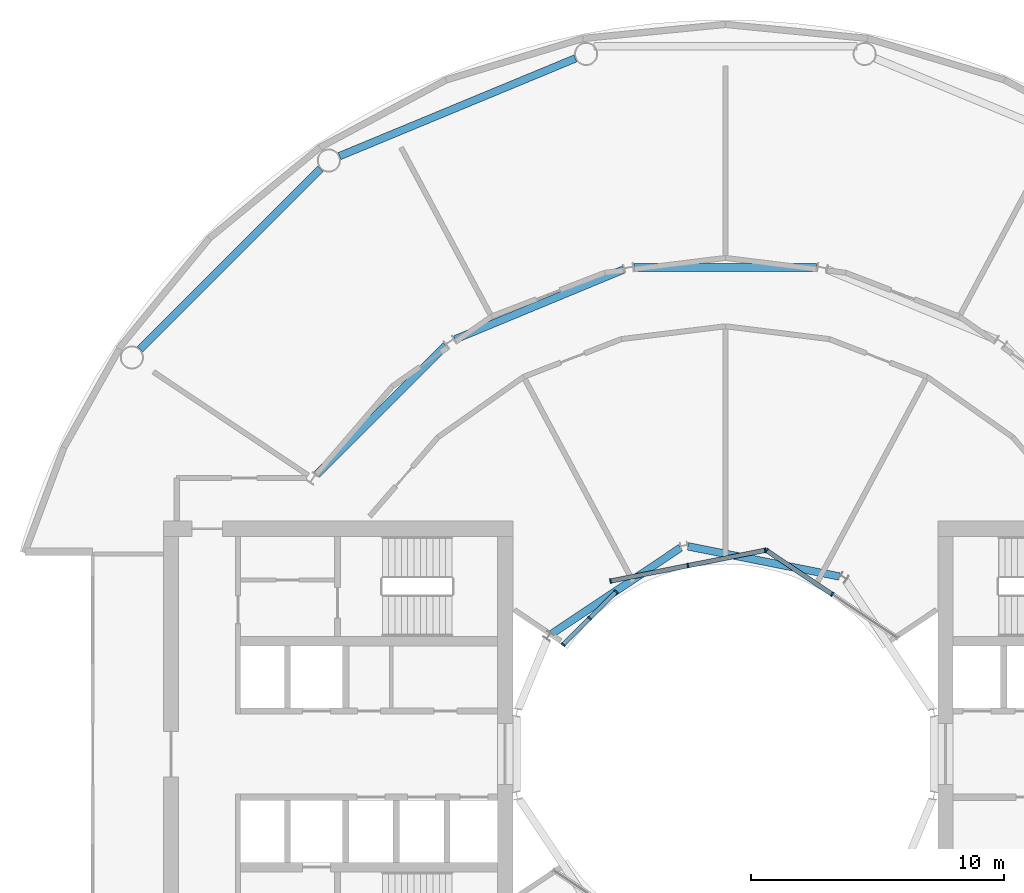
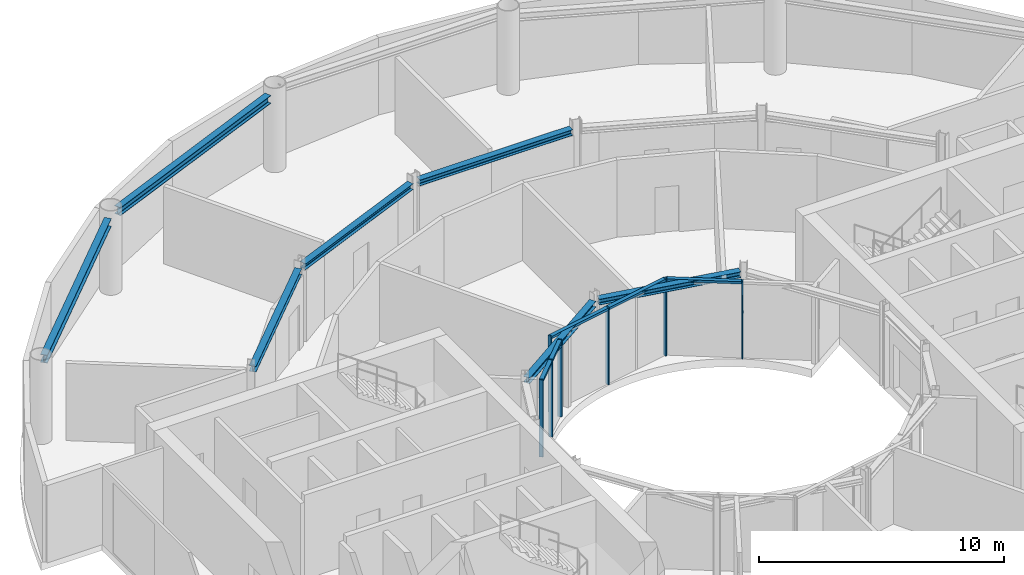
# One storey, part 8 of 18: 13 members, 7 beams, 3 elements without a shape of their own.
"""IFC4 building model written with IfcOpenShell, lengths in metres."""

import ifcopenshell
import ifcopenshell.guid

model = None  # the IFC model being written
_history = None  # IfcOwnerHistory: only IFC2X3 demands one
_inside = {}  # id of a spatial element -> (the spatial element, [elements in it])
_under = {}  # id of a project, library or spatial element -> (it, [spatial elements below it])
_declared = {}  # id of a project -> (the project, [libraries it declares])
_typed = {}  # id of a type object -> (the type object, [elements of that type])
_made_of = {}  # id of a material, layer set ... -> (it, [elements and type objects made of it])


def new_model(schema):
    """Start an empty IFC model of exactly this schema.

    Asked for "IFC4X3", IfcOpenShell would pick the latest addendum, in which some entities
    have other attributes; the version numbers below select the first issue.
    IFC2X3 requires an IfcOwnerHistory on every rooted entity: one is made here for all.
    """
    global model, _history
    if schema == "IFC4X3":
        model = ifcopenshell.file(schema_version=(4, 3, 0, 0))
    else:
        model = ifcopenshell.file(schema=schema)
    _inside.clear()
    _under.clear()
    _declared.clear()
    _typed.clear()
    _made_of.clear()
    _history = None
    if model.schema == "IFC2X3":
        org = make("IfcOrganization", Name="unknown")
        user = make(
            "IfcPersonAndOrganization",
            ThePerson=make("IfcPerson", FamilyName="unknown"),
            TheOrganization=org,
        )
        app = make(
            "IfcApplication",
            ApplicationDeveloper=org,
            Version="unknown",
            ApplicationFullName="unknown",
            ApplicationIdentifier="unknown",
        )
        _history = make(
            "IfcOwnerHistory",
            OwningUser=user,
            OwningApplication=app,
            ChangeAction="ADDED",
            CreationDate=0,
        )
    return model


def make(cls, **values):
    """One entity of the class cls with the attributes given. An attribute that is None is left unset."""
    return model.create_entity(
        cls, **{name: value for name, value in values.items() if value is not None}
    )


def rooted(cls, **values):
    """An entity with a GlobalId (a new one), such as an element, a storey or a relation."""
    return make(cls, GlobalId=ifcopenshell.guid.new(), OwnerHistory=_history, **values)


def si_unit(unit_type, name, prefix=None):
    """IfcSIUnit, for example si_unit("LENGTHUNIT", "METRE", prefix="MILLI")."""
    return make("IfcSIUnit", UnitType=unit_type, Prefix=prefix, Name=name)


def assignment(units):
    """IfcUnitAssignment: the units of a project."""
    return None if units is None else make("IfcUnitAssignment", Units=units)


def point(xyz):
    """IfcCartesianPoint."""
    return None if xyz is None else make("IfcCartesianPoint", Coordinates=xyz)


def direction(xyz):
    """IfcDirection."""
    return None if xyz is None else make("IfcDirection", DirectionRatios=xyz)


def frame(location, z_axis=None, x_axis=None):
    """IfcAxis2Placement3D, a coordinate frame: its origin and axes. An axis left out is left unset."""
    return make(
        "IfcAxis2Placement3D",
        Location=point(location),
        Axis=direction(z_axis),
        RefDirection=direction(x_axis),
    )


def frame_2d(location, x_axis=None):
    """IfcAxis2Placement2D, a coordinate frame in the plane: its origin and x axis."""
    return make(
        "IfcAxis2Placement2D", Location=point(location), RefDirection=direction(x_axis)
    )


def origin():
    """The frame at (0, 0, 0) with its axes left unset."""
    return frame((0.0, 0.0, 0.0))


def origin_2d():
    """The frame at (0, 0) in the plane with its x axis left unset."""
    return frame_2d((0.0, 0.0))


def place(relative_to, where):
    """IfcLocalPlacement: puts the frame where relative to a parent placement (None: the world)."""
    return make(
        "IfcLocalPlacement", PlacementRelTo=relative_to, RelativePlacement=where
    )


def context(
    kind, dimensions, precision=None, world=None, true_north=None, identifier=None
):
    """IfcGeometricRepresentationContext, for example the 3D "Model" context."""
    return make(
        "IfcGeometricRepresentationContext",
        ContextIdentifier=identifier,
        ContextType=kind,
        CoordinateSpaceDimension=dimensions,
        Precision=precision,
        WorldCoordinateSystem=world,
        TrueNorth=true_north,
    )


def subcontext(parent, identifier, kind, view, scale=None):
    """IfcGeometricRepresentationSubContext, for example "Body" below "Model"."""
    return make(
        "IfcGeometricRepresentationSubContext",
        ContextIdentifier=identifier,
        ContextType=kind,
        ParentContext=parent,
        TargetScale=scale,
        TargetView=view,
    )


def project(units=None, contexts=None):
    """IfcProject with its units and contexts."""
    return rooted(
        "IfcProject",
        Name="project",
        RepresentationContexts=contexts,
        UnitsInContext=assignment(units),
    )


def spatial(cls, under=None, at=None, **own):
    """A site, building, storey or space (cls), placed at a placement, below another one or the project."""
    s = rooted(cls, ObjectPlacement=at, **own)
    if under is not None:
        _under.setdefault(under.id(), (under, []))[1].append(s)
    return s


def profile(cls, at=None, kind="AREA", **sizes):
    """A parametric profile (cls). Its sizes go by their IFC names, for example OverallWidth=200.0."""
    return make(cls, ProfileType=kind, Position=at, **sizes)


def rectangle(**sizes):
    """IfcRectangleProfileDef."""
    return profile("IfcRectangleProfileDef", **sizes)


def i_section(**sizes):
    """IfcIShapeProfileDef."""
    return profile("IfcIShapeProfileDef", **sizes)


def extrude(swept, where, along, depth):
    """IfcExtrudedAreaSolid: the profile swept, set in the frame where, extruded along a direction by depth."""
    return make(
        "IfcExtrudedAreaSolid",
        SweptArea=swept,
        Position=where,
        ExtrudedDirection=direction(along),
        Depth=depth,
    )


def shape(context_of_items, identifier, shape_type, items):
    """IfcShapeRepresentation: the items that make up one representation, for example the "Body"."""
    return make(
        "IfcShapeRepresentation",
        ContextOfItems=context_of_items,
        RepresentationIdentifier=identifier,
        RepresentationType=shape_type,
        Items=items,
    )


def material(Name=None, Category=None):
    """IfcMaterial."""
    return make("IfcMaterial", Name=Name, Category=Category)


def layer(
    of_material, thickness, ventilated=None, Name=None, Category=None, Priority=None
):
    """IfcMaterialLayer: one layer of a wall or slab, of a material (None: an air gap)."""
    return make(
        "IfcMaterialLayer",
        Material=of_material,
        LayerThickness=thickness,
        IsVentilated=ventilated,
        Name=Name,
        Category=Category,
        Priority=Priority,
    )


def layer_set(layers, Name=None):
    """IfcMaterialLayerSet."""
    return make("IfcMaterialLayerSet", MaterialLayers=layers, LayerSetName=Name)


def material_profile(
    of_material, cross_section, Name=None, Category=None, Priority=None
):
    """IfcMaterialProfile: a cross section and its material."""
    return make(
        "IfcMaterialProfile",
        Name=Name,
        Material=of_material,
        Profile=cross_section,
        Priority=Priority,
        Category=Category,
    )


def profile_set(profiles, Name=None, composite=None):
    """IfcMaterialProfileSet."""
    return make(
        "IfcMaterialProfileSet",
        Name=Name,
        MaterialProfiles=profiles,
        CompositeProfile=composite,
    )


def made_of(thing, what):
    """Note that an element or type object is made of a material, layer set ...; save() writes the relation."""
    if what is not None:
        _made_of.setdefault(what.id(), (what, []))[1].append(thing)
    return thing


def type_object(cls, material=None, **own):
    """A type object (cls), such as IfcWallType, which elements share."""
    return made_of(rooted(cls, **own), material)


def element(
    cls,
    number,
    at=None,
    inside=None,
    cuts=None,
    type_object=None,
    material=None,
    context=None,
    identifier="Body",
    shape_type=None,
    held_by="IfcProductDefinitionShape",
    body=None,
    shapes=None,
    **own,
):
    """One element of the class cls, such as IfcWall. Its Tag is "e" and its number.

    at: its placement. inside: the storey or other place that contains it. cuts: it is an
    opening in that element (IfcRelVoidsElement). A single representation is given by context,
    identifier, shape_type and body (its items); several are given by shapes. held_by: the class
    of the entity that holds the representations. save() writes the other relations.
    """
    e = rooted(cls, Tag="e%d" % number, ObjectPlacement=at, **own)
    if body is not None:
        shapes = [shape(context, identifier, shape_type, body)]
    if shapes is not None:
        e.Representation = make(held_by, Representations=shapes)
    if inside is not None:
        _inside.setdefault(inside.id(), (inside, []))[1].append(e)
    if cuts is not None:
        rooted(
            "IfcRelVoidsElement", RelatingBuildingElement=cuts, RelatedOpeningElement=e
        )
    if type_object is not None:
        _typed.setdefault(type_object.id(), (type_object, []))[1].append(e)
    return made_of(e, material)


def aggregate(whole, parts):
    """IfcRelAggregates: a whole, such as a stair, and the parts it consists of."""
    return rooted("IfcRelAggregates", RelatingObject=whole, RelatedObjects=parts)


def save(model, path):
    """Write the relations noted so far, then the file.

    IfcRelAggregates (storeys below a building ...), IfcRelContainedInSpatialStructure (elements
    in a storey), IfcRelDefinesByType, IfcRelAssociatesMaterial and IfcRelDeclares: one each for
    every whole, place, type object, material and project.
    """
    for whole, parts in _under.values():
        aggregate(whole, parts)
    for where, things in _inside.values():
        rooted(
            "IfcRelContainedInSpatialStructure",
            RelatedElements=things,
            RelatingStructure=where,
        )
    for kind, things in _typed.values():
        rooted("IfcRelDefinesByType", RelatedObjects=things, RelatingType=kind)
    for what, things in _made_of.values():
        rooted("IfcRelAssociatesMaterial", RelatedObjects=things, RelatingMaterial=what)
    for by, libraries in _declared.values():
        rooted("IfcRelDeclares", RelatingContext=by, RelatedDefinitions=libraries)
    model.write(path)


model = new_model("IFC4")

# Units and contexts
model_context = context("Model", 3, precision=1e-05, world=origin(), true_north=direction((0.0, 1.0)))
body_context = subcontext(model_context, "Body", "Model", "MODEL_VIEW")
ifc_project = project(units=[si_unit("LENGTHUNIT", "METRE"), si_unit("AREAUNIT", "SQUARE_METRE"), si_unit("VOLUMEUNIT", "CUBIC_METRE"), si_unit("PLANEANGLEUNIT", "RADIAN"), si_unit("MASSUNIT", "GRAM", prefix="KILO")], contexts=[model_context])

# Site, building, storey
site_placement = place(None, origin())
site = spatial("IfcSite", under=ifc_project, at=site_placement, CompositionType="ELEMENT")
building_placement = place(site_placement, origin())
building = spatial("IfcBuilding", under=site, at=building_placement, Name="Maasbend Ring Residences", CompositionType="ELEMENT")
storey_placement = place(building_placement, frame((0.0, 0.0, 103.25)))
storey = spatial("IfcBuildingStorey", under=building, at=storey_placement, Name="L29", CompositionType="ELEMENT", Elevation=103.25)

# Curtain wall, members
ifc_material_1 = material(Name="Aluminium and clear glass", Category="aluminium")
ifc_layer = layer(ifc_material_1, 0.179931640625)
ifc_layer_set = layer_set([ifc_layer], Name="CW-W")
curtain_wall_type = type_object("IfcCurtainWallType", Name="CW-W", PredefinedType="NOTDEFINED", material=ifc_layer_set)
curtain_wall_1_placement = place(storey_placement, origin())
curtain_wall_1 = element("IfcCurtainWall", 1, at=curtain_wall_1_placement, inside=storey, type_object=curtain_wall_type, Name="Well curtain wall N1", PredefinedType="NOTDEFINED")
ifc_material_2 = material(Name="Aluminium 6063-T6", Category="aluminium")
ifc_material_profile_1 = material_profile(ifc_material_2, rectangle(XDim=0.179931640625, YDim=0.06005859375, at=origin_2d()), Name="AL 180x60")
ifc_profile_set_1 = profile_set([ifc_material_profile_1], Name="Aluminium 6063-T6")
member_type_1 = type_object("IfcMemberType", Name="CWM-W", PredefinedType="MULLION", material=ifc_profile_set_1)
member_1_placement = place(storey_placement, frame((4.216796875, 6.310791015625, 0.0), z_axis=(0.0, 0.0, 1.0), x_axis=(-0.55557023302, -0.831469612303, 0.0)))
member_1 = element("IfcMember", 2, at=member_1_placement, type_object=member_type_1, Name="Mullion well face", PredefinedType="MULLION", context=body_context, shape_type="SweptSolid", body=[
    extrude(rectangle(XDim=0.179931640625, YDim=0.06005859375, at=origin_2d()), origin(), (0.0, 0.0, 1.0), 3.85009765625),
])
member_2_placement = place(storey_placement, frame((1.627685546875, 8.040771484375, 0.0), z_axis=(0.0, 0.0, 1.0), x_axis=(-0.55557023302, -0.831469612303, 0.0)))
member_2 = element("IfcMember", 3, at=member_2_placement, type_object=member_type_1, Name="Mullion well face", PredefinedType="MULLION", context=body_context, shape_type="SweptSolid", body=[
    extrude(rectangle(XDim=0.179931640625, YDim=0.06005859375, at=origin_2d()), origin(), (0.0, 0.0, 1.0), 3.85009765625),
])

curtain_wall_2_placement = place(storey_placement, origin())
curtain_wall_2 = element("IfcCurtainWall", 4, at=curtain_wall_2_placement, inside=storey, type_object=curtain_wall_type, Name="Well curtain wall N2", PredefinedType="NOTDEFINED")
member_3_placement = place(storey_placement, frame((1.5732421875, 8.0517578125, 0.0), z_axis=(0.0, 0.0, 1.0), x_axis=(0.195090322016, -0.980785280403, 0.0)))
member_3 = element("IfcMember", 5, at=member_3_placement, type_object=member_type_1, Name="Mullion well face", PredefinedType="MULLION", context=body_context, shape_type="SweptSolid", body=[
    extrude(rectangle(XDim=0.179931640625, YDim=0.06005859375, at=origin_2d()), origin(), (0.0, 0.0, 1.0), 3.85009765625),
])
member_4_placement = place(storey_placement, frame((-1.480712890625, 7.444091796875, 0.0), z_axis=(0.0, 0.0, 1.0), x_axis=(0.195090322016, -0.980785280403, 0.0)))
member_4 = element("IfcMember", 6, at=member_4_placement, type_object=member_type_1, Name="Mullion well face", PredefinedType="MULLION", context=body_context, shape_type="SweptSolid", body=[
    extrude(rectangle(XDim=0.179931640625, YDim=0.06005859375, at=origin_2d()), origin(), (0.0, 0.0, 1.0), 3.85009765625),
])
member_5_placement = place(storey_placement, frame((-4.53466796875, 6.836669921875, 0.0), z_axis=(0.0, 0.0, 1.0), x_axis=(0.195090322016, -0.980785280403, 0.0)))
member_5 = element("IfcMember", 7, at=member_5_placement, type_object=member_type_1, Name="Mullion well face", PredefinedType="MULLION", context=body_context, shape_type="SweptSolid", body=[
    extrude(rectangle(XDim=0.179931640625, YDim=0.06005859375, at=origin_2d()), origin(), (0.0, 0.0, 1.0), 3.85009765625),
])

curtain_wall_3_placement = place(storey_placement, origin())
curtain_wall_3 = element("IfcCurtainWall", 8, at=curtain_wall_3_placement, inside=storey, type_object=curtain_wall_type, Name="Well curtain wall N3", PredefinedType="NOTDEFINED")
member_6_placement = place(storey_placement, frame((-4.320556640625, 6.413330078125, 0.0), z_axis=(0.0, 0.0, 1.0), x_axis=(0.707106781187, -0.707106781187, 0.0)))
member_6 = element("IfcMember", 9, at=member_6_placement, type_object=member_type_1, Name="Mullion well face", PredefinedType="MULLION", context=body_context, shape_type="SweptSolid", body=[
    extrude(rectangle(XDim=0.179931640625, YDim=0.06005859375, at=origin_2d()), origin(), (0.0, 0.0, 1.0), 3.85009765625),
])
member_7_placement = place(storey_placement, frame((-5.366943359375, 5.366943359375, 0.0), z_axis=(0.0, 0.0, 1.0), x_axis=(0.707106781187, -0.707106781187, 0.0)))
member_7 = element("IfcMember", 10, at=member_7_placement, type_object=member_type_1, Name="Mullion well face", PredefinedType="MULLION", context=body_context, shape_type="SweptSolid", body=[
    extrude(rectangle(XDim=0.179931640625, YDim=0.06005859375, at=origin_2d()), origin(), (0.0, 0.0, 1.0), 3.85009765625),
])
member_8_placement = place(storey_placement, frame((-6.413330078125, 4.320556640625, 0.0), z_axis=(0.0, 0.0, 1.0), x_axis=(0.707106781187, -0.707106781187, 0.0)))
member_8 = element("IfcMember", 11, at=member_8_placement, type_object=member_type_1, Name="Mullion well face", PredefinedType="MULLION", context=body_context, shape_type="SweptSolid", body=[
    extrude(rectangle(XDim=0.179931640625, YDim=0.06005859375, at=origin_2d()), origin(), (0.0, 0.0, 1.0), 3.85009765625),
])

# Member
ifc_material_3 = material(Name="Aluminium 6063-T6", Category="aluminium")
ifc_material_profile_2 = material_profile(ifc_material_3, rectangle(XDim=0.179931640625, YDim=0.1201171875, at=origin_2d()), Name="AL 180x120")
ifc_profile_set_2 = profile_set([ifc_material_profile_2], Name="Aluminium 6063-T6")
member_type_2 = type_object("IfcMemberType", Name="CWT-W", PredefinedType="USERDEFINED", material=ifc_profile_set_2)
member_9_placement = place(storey_placement, frame((4.19189453125, 6.32763671875, 3.7900390625), z_axis=(-0.831496422459, 0.555530106689, 0.0), x_axis=(-0.555530106689, -0.831496422459, 0.0)))
member_9 = element("IfcMember", 12, at=member_9_placement, type_object=member_type_2, Name="Transom well face", ObjectType="TRANSOM", PredefinedType="USERDEFINED", context=body_context, shape_type="SweptSolid", body=[
    extrude(rectangle(XDim=0.179931640625, YDim=0.1201171875, at=origin_2d()), origin(), (0.0, 0.0, 1.0), 3.053955078125),
])

aggregate(curtain_wall_1, [member_1, member_2, member_9])

member_10_placement = place(storey_placement, frame((1.5439453125, 8.0458984375, 3.7900390625), z_axis=(-0.980776956105, -0.195132166424, 0.0), x_axis=(0.195132166424, -0.980776956105, 0.0)))
member_10 = element("IfcMember", 13, at=member_10_placement, type_object=member_type_2, Name="Transom well face", ObjectType="TRANSOM", PredefinedType="USERDEFINED", context=body_context, shape_type="SweptSolid", body=[
    extrude(rectangle(XDim=0.179931640625, YDim=0.1201171875, at=origin_2d()), origin(), (0.0, 0.0, 1.0), 3.053955078125),
])

member_11_placement = place(storey_placement, frame((-1.51025390625, 7.438232421875, 3.7900390625), z_axis=(-0.980789210404, -0.19507056353, 0.0), x_axis=(0.19507056353, -0.980789210404, 0.0)))
member_11 = element("IfcMember", 14, at=member_11_placement, type_object=member_type_2, Name="Transom well face", ObjectType="TRANSOM", PredefinedType="USERDEFINED", context=body_context, shape_type="SweptSolid", body=[
    extrude(rectangle(XDim=0.179931640625, YDim=0.1201171875, at=origin_2d()), origin(), (0.0, 0.0, 1.0), 3.0537109375),
])

aggregate(curtain_wall_2, [member_3, member_4, member_5, member_10, member_11])

member_12_placement = place(storey_placement, frame((-4.341796875, 6.39208984375, 3.7900390625), z_axis=(-0.707106781187, -0.707106781187, 0.0), x_axis=(0.707106781187, -0.707106781187, 0.0)))
member_12 = element("IfcMember", 15, at=member_12_placement, type_object=member_type_2, Name="Transom well face", ObjectType="TRANSOM", PredefinedType="USERDEFINED", context=body_context, shape_type="SweptSolid", body=[
    extrude(rectangle(XDim=0.179931640625, YDim=0.1201171875, at=origin_2d()), origin(), (0.0, 0.0, 1.0), 1.419677734375),
])

member_13_placement = place(storey_placement, frame((-5.38818359375, 5.345703125, 3.7900390625), z_axis=(-0.707106781187, -0.707106781187, 0.0), x_axis=(0.707106781187, -0.707106781187, 0.0)))
member_13 = element("IfcMember", 16, at=member_13_placement, type_object=member_type_2, Name="Transom well face", ObjectType="TRANSOM", PredefinedType="USERDEFINED", context=body_context, shape_type="SweptSolid", body=[
    extrude(rectangle(XDim=0.179931640625, YDim=0.1201171875, at=origin_2d()), origin(), (0.0, 0.0, 1.0), 1.419677734375),
])

aggregate(curtain_wall_3, [member_6, member_7, member_8, member_12, member_13])

# Beams
ifc_material_4 = material(Name="Steel S355J2", Category="steel")
ifc_material_profile_3 = material_profile(ifc_material_4, i_section(OverallWidth=0.300048828125, OverallDepth=0.2900390625, WebThickness=0.008544921875, FlangeThickness=0.013916015625, FilletRadius=0.027099609375, at=origin_2d()), Name="HEA 300")
ifc_profile_set_3 = profile_set([ifc_material_profile_3], Name="Steel S355J2")
beam_type_1 = type_object("IfcBeamType", Name="Corridor ring beam HEA 300", PredefinedType="BEAM", material=ifc_profile_set_3)
for number, where, z_axis, x_axis, name in (
    (17, (3.603515625, 19.223388671875, 3.705078125), (-1.0, 0.0, 0.0), (0.0, -1.0, 0.0), "Corridor ring beam"),
    (18, (-4.02734375, 19.13916015625, 3.705078125), (-0.923877693919, -0.382687871089, 0.0), (0.382687871089, -0.923877693919, 0.0), "Corridor ring beam"),
    (19, (-11.044921875, 16.14111328125, 3.705078125), (-0.707106781187, -0.707106781187, 0.0), (0.707106781187, -0.707106781187, 0.0), "Corridor ring beam"),
):
    element("IfcBeam", number, at=place(storey_placement, frame(where, z_axis=z_axis, x_axis=x_axis)), inside=storey, type_object=beam_type_1, Name=name, PredefinedType="BEAM", context=body_context, shape_type="SweptSolid", body=[
        extrude(i_section(OverallWidth=0.300048828125, OverallDepth=0.2900390625, WebThickness=0.008544921875, FlangeThickness=0.013916015625, FilletRadius=0.027099609375, at=origin_2d()), origin(), (0.0, 0.0, 1.0), 7.20703125),
    ])
ifc_material_5 = material(Name="Steel S355J2", Category="steel")
ifc_material_profile_4 = material_profile(ifc_material_5, i_section(OverallWidth=0.300048828125, OverallDepth=0.39990234375, WebThickness=0.013427734375, FlangeThickness=0.02392578125, FilletRadius=0.027099609375, at=origin_2d()), Name="HEB 400")
ifc_profile_set_4 = profile_set([ifc_material_profile_4], Name="Steel S355J2")
beam_type_2 = type_object("IfcBeamType", Name="Spandrel ring beam HEB 400", PredefinedType="SPANDREL", material=ifc_profile_set_4)
for number, where, z_axis, x_axis, name in (
    (20, (-5.923583984375, 27.483154296875, 3.64990234375), (-0.92388529709, -0.382669515144, 0.0), (0.382669515144, -0.92388529709, 0.0), "Spandrel ring beam"),
    (21, (-15.990234375, 23.124267578125, 3.64990234375), (-0.707106781187, -0.707106781187, 0.0), (0.707106781187, -0.707106781187, 0.0), "Spandrel ring beam"),
):
    element("IfcBeam", number, at=place(storey_placement, frame(where, z_axis=z_axis, x_axis=x_axis)), inside=storey, type_object=beam_type_2, Name=name, PredefinedType="SPANDREL", context=body_context, shape_type="SweptSolid", body=[
        extrude(i_section(OverallWidth=0.300048828125, OverallDepth=0.39990234375, WebThickness=0.013427734375, FlangeThickness=0.02392578125, FilletRadius=0.027099609375, at=origin_2d()), origin(), (0.0, 0.0, 1.0), 10.089111328125),
    ])
ifc_material_6 = material(Name="Steel S355J2", Category="steel")
ifc_material_profile_5 = material_profile(ifc_material_6, i_section(OverallWidth=0.300048828125, OverallDepth=0.2900390625, WebThickness=0.008544921875, FlangeThickness=0.013916015625, FilletRadius=0.027099609375, at=origin_2d()), Name="HEA 300")
ifc_profile_set_5 = profile_set([ifc_material_profile_5], Name="Steel S355J2")
beam_type_3 = type_object("IfcBeamType", Name="Well edge beam HEA 300", PredefinedType="BEAM", material=ifc_profile_set_5)
beam_1_placement = place(storey_placement, frame((4.507568359375, 7.01611328125, 3.705078125), z_axis=(-0.980792381321, 0.195054619896, 0.0), x_axis=(-0.195054619896, -0.980792381321, 0.0)))
element("IfcBeam", 22, at=beam_1_placement, inside=storey, type_object=beam_type_3, Name="Well edge beam", PredefinedType="BEAM", context=body_context, shape_type="SweptSolid", body=[
    extrude(i_section(OverallWidth=0.300048828125, OverallDepth=0.2900390625, WebThickness=0.008544921875, FlangeThickness=0.013916015625, FilletRadius=0.027099609375, at=origin_2d()), origin(), (0.0, 0.0, 1.0), 6.104248046875),
])
beam_2_placement = place(storey_placement, frame((-1.773681640625, 8.1484375, 3.705078125), z_axis=(-0.831477628137, -0.555558236289, 0.0), x_axis=(0.555558236289, -0.831477628137, 0.0)))
element("IfcBeam", 23, at=beam_2_placement, inside=storey, type_object=beam_type_3, Name="Well edge beam", PredefinedType="BEAM", context=body_context, shape_type="SweptSolid", body=[
    extrude(i_section(OverallWidth=0.300048828125, OverallDepth=0.2900390625, WebThickness=0.008544921875, FlangeThickness=0.013916015625, FilletRadius=0.027099609375, at=origin_2d()), origin(), (0.0, 0.0, 1.0), 6.1044921875),
])

save(model, "model.ifc")
